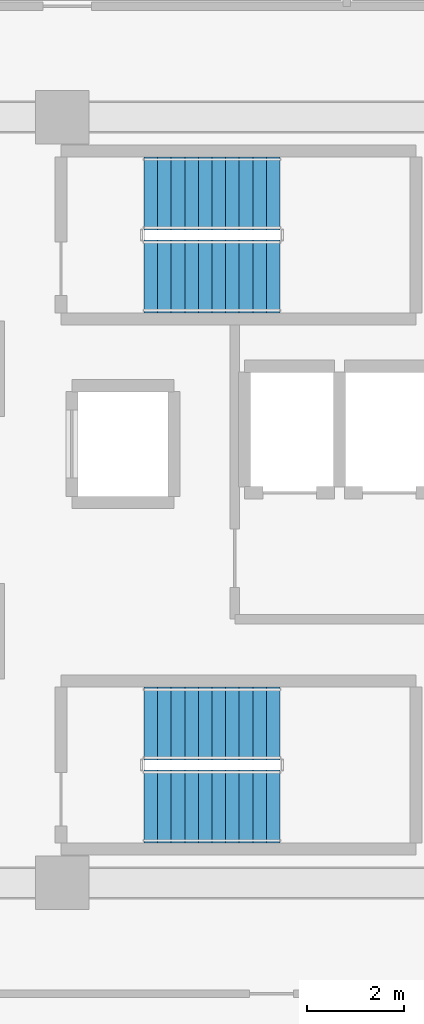
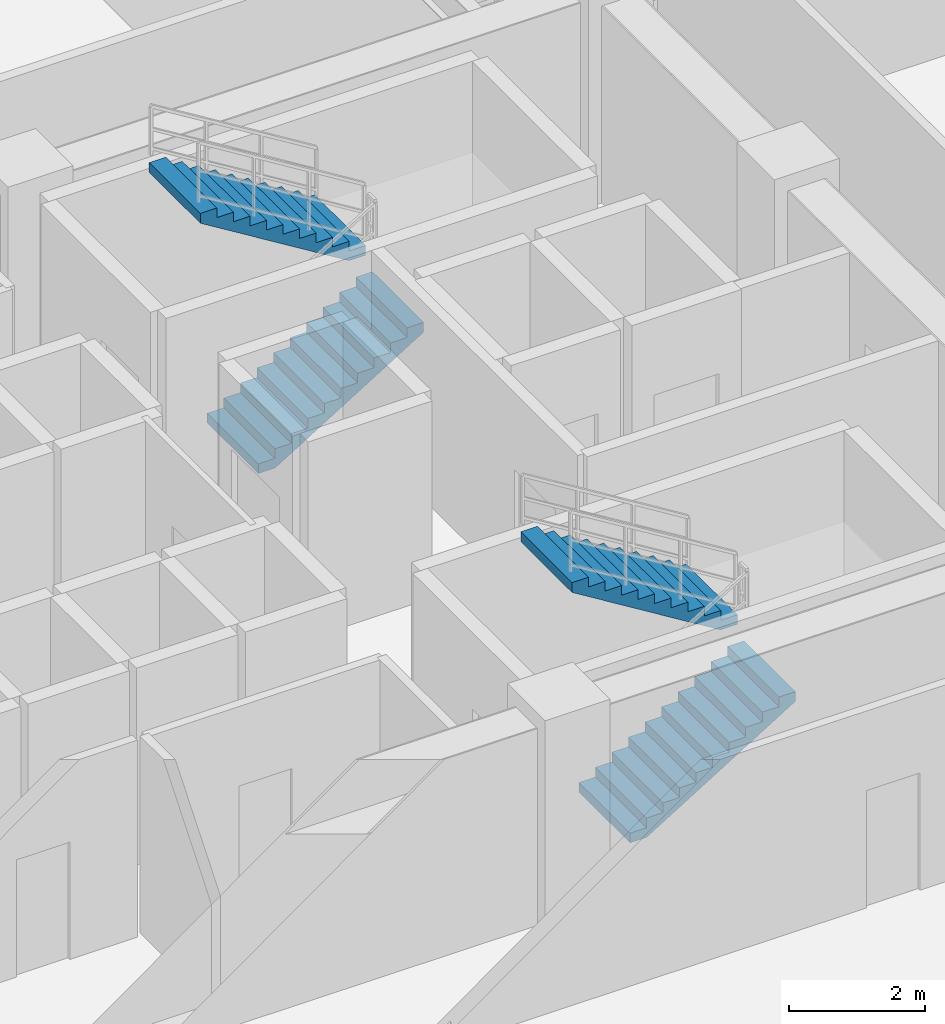
# One storey, part 11 of 14: 4 stair flights, 2 elements without a shape of their own.
"""IFC4 building model written with IfcOpenShell, lengths in metres."""

import ifcopenshell
import ifcopenshell.guid

model = None  # the IFC model being written
_history = None  # IfcOwnerHistory: only IFC2X3 demands one
_inside = {}  # id of a spatial element -> (the spatial element, [elements in it])
_under = {}  # id of a project, library or spatial element -> (it, [spatial elements below it])
_declared = {}  # id of a project -> (the project, [libraries it declares])
_typed = {}  # id of a type object -> (the type object, [elements of that type])
_made_of = {}  # id of a material, layer set ... -> (it, [elements and type objects made of it])


def new_model(schema):
    """Start an empty IFC model of exactly this schema.

    Asked for "IFC4X3", IfcOpenShell would pick the latest addendum, in which some entities
    have other attributes; the version numbers below select the first issue.
    IFC2X3 requires an IfcOwnerHistory on every rooted entity: one is made here for all.
    """
    global model, _history
    if schema == "IFC4X3":
        model = ifcopenshell.file(schema_version=(4, 3, 0, 0))
    else:
        model = ifcopenshell.file(schema=schema)
    _inside.clear()
    _under.clear()
    _declared.clear()
    _typed.clear()
    _made_of.clear()
    _history = None
    if model.schema == "IFC2X3":
        org = make("IfcOrganization", Name="unknown")
        user = make(
            "IfcPersonAndOrganization",
            ThePerson=make("IfcPerson", FamilyName="unknown"),
            TheOrganization=org,
        )
        app = make(
            "IfcApplication",
            ApplicationDeveloper=org,
            Version="unknown",
            ApplicationFullName="unknown",
            ApplicationIdentifier="unknown",
        )
        _history = make(
            "IfcOwnerHistory",
            OwningUser=user,
            OwningApplication=app,
            ChangeAction="ADDED",
            CreationDate=0,
        )
    return model


def make(cls, **values):
    """One entity of the class cls with the attributes given. An attribute that is None is left unset."""
    return model.create_entity(
        cls, **{name: value for name, value in values.items() if value is not None}
    )


def rooted(cls, **values):
    """An entity with a GlobalId (a new one), such as an element, a storey or a relation."""
    return make(cls, GlobalId=ifcopenshell.guid.new(), OwnerHistory=_history, **values)


def si_unit(unit_type, name, prefix=None):
    """IfcSIUnit, for example si_unit("LENGTHUNIT", "METRE", prefix="MILLI")."""
    return make("IfcSIUnit", UnitType=unit_type, Prefix=prefix, Name=name)


def assignment(units):
    """IfcUnitAssignment: the units of a project."""
    return None if units is None else make("IfcUnitAssignment", Units=units)


def point(xyz):
    """IfcCartesianPoint."""
    return None if xyz is None else make("IfcCartesianPoint", Coordinates=xyz)


def direction(xyz):
    """IfcDirection."""
    return None if xyz is None else make("IfcDirection", DirectionRatios=xyz)


def frame(location, z_axis=None, x_axis=None):
    """IfcAxis2Placement3D, a coordinate frame: its origin and axes. An axis left out is left unset."""
    return make(
        "IfcAxis2Placement3D",
        Location=point(location),
        Axis=direction(z_axis),
        RefDirection=direction(x_axis),
    )


def origin():
    """The frame at (0, 0, 0) with its axes left unset."""
    return frame((0.0, 0.0, 0.0))


def place(relative_to, where):
    """IfcLocalPlacement: puts the frame where relative to a parent placement (None: the world)."""
    return make(
        "IfcLocalPlacement", PlacementRelTo=relative_to, RelativePlacement=where
    )


def context(
    kind, dimensions, precision=None, world=None, true_north=None, identifier=None
):
    """IfcGeometricRepresentationContext, for example the 3D "Model" context."""
    return make(
        "IfcGeometricRepresentationContext",
        ContextIdentifier=identifier,
        ContextType=kind,
        CoordinateSpaceDimension=dimensions,
        Precision=precision,
        WorldCoordinateSystem=world,
        TrueNorth=true_north,
    )


def subcontext(parent, identifier, kind, view, scale=None):
    """IfcGeometricRepresentationSubContext, for example "Body" below "Model"."""
    return make(
        "IfcGeometricRepresentationSubContext",
        ContextIdentifier=identifier,
        ContextType=kind,
        ParentContext=parent,
        TargetScale=scale,
        TargetView=view,
    )


def project(units=None, contexts=None):
    """IfcProject with its units and contexts."""
    return rooted(
        "IfcProject",
        Name="project",
        RepresentationContexts=contexts,
        UnitsInContext=assignment(units),
    )


def spatial(cls, under=None, at=None, **own):
    """A site, building, storey or space (cls), placed at a placement, below another one or the project."""
    s = rooted(cls, ObjectPlacement=at, **own)
    if under is not None:
        _under.setdefault(under.id(), (under, []))[1].append(s)
    return s


def polyline(points):
    """IfcPolyline through the points."""
    return make("IfcPolyline", Points=[point(p) for p in points])


def outline(outer, holes=None, kind="AREA"):
    """IfcArbitraryClosedProfileDef: a profile drawn as a closed curve; with holes, ...WithVoids."""
    if holes is None:
        return make("IfcArbitraryClosedProfileDef", ProfileType=kind, OuterCurve=outer)
    return make(
        "IfcArbitraryProfileDefWithVoids",
        ProfileType=kind,
        OuterCurve=outer,
        InnerCurves=holes,
    )


def extrude(swept, where, along, depth):
    """IfcExtrudedAreaSolid: the profile swept, set in the frame where, extruded along a direction by depth."""
    return make(
        "IfcExtrudedAreaSolid",
        SweptArea=swept,
        Position=where,
        ExtrudedDirection=direction(along),
        Depth=depth,
    )


def shape(context_of_items, identifier, shape_type, items):
    """IfcShapeRepresentation: the items that make up one representation, for example the "Body"."""
    return make(
        "IfcShapeRepresentation",
        ContextOfItems=context_of_items,
        RepresentationIdentifier=identifier,
        RepresentationType=shape_type,
        Items=items,
    )


def material(Name=None, Category=None):
    """IfcMaterial."""
    return make("IfcMaterial", Name=Name, Category=Category)


def made_of(thing, what):
    """Note that an element or type object is made of a material, layer set ...; save() writes the relation."""
    if what is not None:
        _made_of.setdefault(what.id(), (what, []))[1].append(thing)
    return thing


def type_object(cls, material=None, **own):
    """A type object (cls), such as IfcWallType, which elements share."""
    return made_of(rooted(cls, **own), material)


def element(
    cls,
    number,
    at=None,
    inside=None,
    cuts=None,
    type_object=None,
    material=None,
    context=None,
    identifier="Body",
    shape_type=None,
    held_by="IfcProductDefinitionShape",
    body=None,
    shapes=None,
    **own,
):
    """One element of the class cls, such as IfcWall. Its Tag is "e" and its number.

    at: its placement. inside: the storey or other place that contains it. cuts: it is an
    opening in that element (IfcRelVoidsElement). A single representation is given by context,
    identifier, shape_type and body (its items); several are given by shapes. held_by: the class
    of the entity that holds the representations. save() writes the other relations.
    """
    e = rooted(cls, Tag="e%d" % number, ObjectPlacement=at, **own)
    if body is not None:
        shapes = [shape(context, identifier, shape_type, body)]
    if shapes is not None:
        e.Representation = make(held_by, Representations=shapes)
    if inside is not None:
        _inside.setdefault(inside.id(), (inside, []))[1].append(e)
    if cuts is not None:
        rooted(
            "IfcRelVoidsElement", RelatingBuildingElement=cuts, RelatedOpeningElement=e
        )
    if type_object is not None:
        _typed.setdefault(type_object.id(), (type_object, []))[1].append(e)
    return made_of(e, material)


def aggregate(whole, parts):
    """IfcRelAggregates: a whole, such as a stair, and the parts it consists of."""
    return rooted("IfcRelAggregates", RelatingObject=whole, RelatedObjects=parts)


def save(model, path):
    """Write the relations noted so far, then the file.

    IfcRelAggregates (storeys below a building ...), IfcRelContainedInSpatialStructure (elements
    in a storey), IfcRelDefinesByType, IfcRelAssociatesMaterial and IfcRelDeclares: one each for
    every whole, place, type object, material and project.
    """
    for whole, parts in _under.values():
        aggregate(whole, parts)
    for where, things in _inside.values():
        rooted(
            "IfcRelContainedInSpatialStructure",
            RelatedElements=things,
            RelatingStructure=where,
        )
    for kind, things in _typed.values():
        rooted("IfcRelDefinesByType", RelatedObjects=things, RelatingType=kind)
    for what, things in _made_of.values():
        rooted("IfcRelAssociatesMaterial", RelatedObjects=things, RelatingMaterial=what)
    for by, libraries in _declared.values():
        rooted("IfcRelDeclares", RelatingContext=by, RelatedDefinitions=libraries)
    model.write(path)


model = new_model("IFC4")

# Units and contexts
model_context = context("Model", 3, precision=1e-05, world=origin(), true_north=direction((0.0, 1.0)))
body_context = subcontext(model_context, "Body", "Model", "MODEL_VIEW")
ifc_project = project(units=[si_unit("LENGTHUNIT", "METRE"), si_unit("AREAUNIT", "SQUARE_METRE"), si_unit("VOLUMEUNIT", "CUBIC_METRE"), si_unit("PLANEANGLEUNIT", "RADIAN"), si_unit("MASSUNIT", "GRAM", prefix="KILO")], contexts=[model_context])

# Site, building, storey
site_placement = place(None, origin())
site = spatial("IfcSite", under=ifc_project, at=site_placement, CompositionType="ELEMENT")
building_placement = place(site_placement, origin())
building = spatial("IfcBuilding", under=site, at=building_placement, Name="Zulverin Broadcast Headquarters", CompositionType="ELEMENT")
storey_placement = place(building_placement, frame((0.0, 0.0, 85.800048828125)))
storey = spatial("IfcBuildingStorey", under=building, at=storey_placement, Name="L21", CompositionType="ELEMENT", Elevation=85.800048828125)

# Stair, stair flights
ifc_material = material(Name="Concrete C40/50", Category="concrete")
stair_type = type_object("IfcStairType", Name="ST-CORE-1500", PredefinedType="HALF_TURN_STAIR", material=ifc_material)
stair_1_placement = place(storey_placement, origin())
stair_1 = element("IfcStair", 1, at=stair_1_placement, inside=storey, type_object=stair_type, Name="L21 Core Exit Stair ST-1", PredefinedType="HALF_TURN_STAIR")
stair_flight_type = type_object("IfcStairFlightType", Name="SF-CORE-1500", PredefinedType="STRAIGHT", material=ifc_material)
stair_flight_1_placement = place(storey_placement, frame((40.1298828125, 29.800048828125, 0.0), z_axis=(0.0, 0.0, 1.0), x_axis=(1.0, 0.0, 0.0)))
stair_flight_1 = element("IfcStairFlight", 2, at=stair_flight_1_placement, type_object=stair_flight_type, Name="ST-1 flight 1", NumberOfRisers=11, NumberOfTreads=10, PredefinedType="STRAIGHT", RiserHeight=0.172727273, TreadLength=0.28, context=body_context, shape_type="SweptSolid", body=[
    extrude(outline(polyline([(0.0, 0.0), (0.0, 0.172607421875), (0.280029296875, 0.172607421875), (0.280029296875, 0.345458984375), (0.56005859375, 0.345458984375), (0.56005859375, 0.51806640625), (0.840087890625, 0.51806640625), (0.840087890625, 0.69091796875), (1.1201171875, 0.69091796875), (1.1201171875, 0.863525390625), (1.39990234375, 0.863525390625), (1.39990234375, 1.036376953125), (1.679931640625, 1.036376953125), (1.679931640625, 1.208984375), (1.9599609375, 1.208984375), (1.9599609375, 1.3818359375), (2.239990234375, 1.3818359375), (2.239990234375, 1.554443359375), (2.52001953125, 1.554443359375), (2.52001953125, 1.727294921875), (2.800048828125, 1.727294921875), (2.800048828125, 1.89990234375), (2.800048828125, 1.551025390625), (0.285400390625, 0.0), (0.0, 0.0)])), frame((0.0, 0.75, 0.0), z_axis=(0.0, -1.0, 0.0), x_axis=(1.0, 0.0, 0.0)), (0.0, 0.0, 1.0), 1.5),
])
stair_flight_2_placement = place(storey_placement, frame((42.929931640625, 31.5, 1.89990234375), z_axis=(0.0, 0.0, 1.0), x_axis=(-1.0, 0.0, 0.0)))
stair_flight_2 = element("IfcStairFlight", 3, at=stair_flight_2_placement, type_object=stair_flight_type, Name="ST-1 flight 2", NumberOfRisers=11, NumberOfTreads=10, PredefinedType="STRAIGHT", RiserHeight=0.172727273, TreadLength=0.28, context=body_context, shape_type="SweptSolid", body=[
    extrude(outline(polyline([(0.0, 0.0), (0.0, 0.172607421875), (0.280029296875, 0.172607421875), (0.280029296875, 0.345458984375), (0.56005859375, 0.345458984375), (0.56005859375, 0.51806640625), (0.840087890625, 0.51806640625), (0.840087890625, 0.69091796875), (1.1201171875, 0.69091796875), (1.1201171875, 0.863525390625), (1.39990234375, 0.863525390625), (1.39990234375, 1.036376953125), (1.679931640625, 1.036376953125), (1.679931640625, 1.208984375), (1.9599609375, 1.208984375), (1.9599609375, 1.3818359375), (2.239990234375, 1.3818359375), (2.239990234375, 1.554443359375), (2.52001953125, 1.554443359375), (2.52001953125, 1.727294921875), (2.800048828125, 1.727294921875), (2.800048828125, 1.89990234375), (2.800048828125, 1.551025390625), (0.285400390625, 0.0), (0.0, 0.0)])), frame((0.0, 0.75, 0.0), z_axis=(0.0, -1.0, 0.0), x_axis=(1.0, 0.0, 0.0)), (0.0, 0.0, 1.0), 1.5),
])
aggregate(stair_1, [stair_flight_1, stair_flight_2])

stair_2_placement = place(storey_placement, origin())
stair_2 = element("IfcStair", 4, at=stair_2_placement, inside=storey, type_object=stair_type, Name="L21 Core Exit Stair ST-2", PredefinedType="HALF_TURN_STAIR")
stair_flight_3_placement = place(storey_placement, frame((40.1298828125, 18.89990234375, 0.0), z_axis=(0.0, 0.0, 1.0), x_axis=(1.0, 0.0, 0.0)))
stair_flight_3 = element("IfcStairFlight", 5, at=stair_flight_3_placement, type_object=stair_flight_type, Name="ST-2 flight 1", NumberOfRisers=11, NumberOfTreads=10, PredefinedType="STRAIGHT", RiserHeight=0.172727273, TreadLength=0.28, context=body_context, shape_type="SweptSolid", body=[
    extrude(outline(polyline([(0.0, 0.0), (0.0, 0.172607421875), (0.280029296875, 0.172607421875), (0.280029296875, 0.345458984375), (0.56005859375, 0.345458984375), (0.56005859375, 0.51806640625), (0.840087890625, 0.51806640625), (0.840087890625, 0.69091796875), (1.1201171875, 0.69091796875), (1.1201171875, 0.863525390625), (1.39990234375, 0.863525390625), (1.39990234375, 1.036376953125), (1.679931640625, 1.036376953125), (1.679931640625, 1.208984375), (1.9599609375, 1.208984375), (1.9599609375, 1.3818359375), (2.239990234375, 1.3818359375), (2.239990234375, 1.554443359375), (2.52001953125, 1.554443359375), (2.52001953125, 1.727294921875), (2.800048828125, 1.727294921875), (2.800048828125, 1.89990234375), (2.800048828125, 1.551025390625), (0.285400390625, 0.0), (0.0, 0.0)])), frame((0.0, 0.75, 0.0), z_axis=(0.0, -1.0, 0.0), x_axis=(1.0, 0.0, 0.0)), (0.0, 0.0, 1.0), 1.5),
])
stair_flight_4_placement = place(storey_placement, frame((42.929931640625, 20.60009765625, 1.89990234375), z_axis=(0.0, 0.0, 1.0), x_axis=(-1.0, 0.0, 0.0)))
stair_flight_4 = element("IfcStairFlight", 6, at=stair_flight_4_placement, type_object=stair_flight_type, Name="ST-2 flight 2", NumberOfRisers=11, NumberOfTreads=10, PredefinedType="STRAIGHT", RiserHeight=0.172727273, TreadLength=0.28, context=body_context, shape_type="SweptSolid", body=[
    extrude(outline(polyline([(0.0, 0.0), (0.0, 0.172607421875), (0.280029296875, 0.172607421875), (0.280029296875, 0.345458984375), (0.56005859375, 0.345458984375), (0.56005859375, 0.51806640625), (0.840087890625, 0.51806640625), (0.840087890625, 0.69091796875), (1.1201171875, 0.69091796875), (1.1201171875, 0.863525390625), (1.39990234375, 0.863525390625), (1.39990234375, 1.036376953125), (1.679931640625, 1.036376953125), (1.679931640625, 1.208984375), (1.9599609375, 1.208984375), (1.9599609375, 1.3818359375), (2.239990234375, 1.3818359375), (2.239990234375, 1.554443359375), (2.52001953125, 1.554443359375), (2.52001953125, 1.727294921875), (2.800048828125, 1.727294921875), (2.800048828125, 1.89990234375), (2.800048828125, 1.551025390625), (0.285400390625, 0.0), (0.0, 0.0)])), frame((0.0, 0.75, 0.0), z_axis=(0.0, -1.0, 0.0), x_axis=(1.0, 0.0, 0.0)), (0.0, 0.0, 1.0), 1.5),
])
aggregate(stair_2, [stair_flight_3, stair_flight_4])

save(model, "model.ifc")
